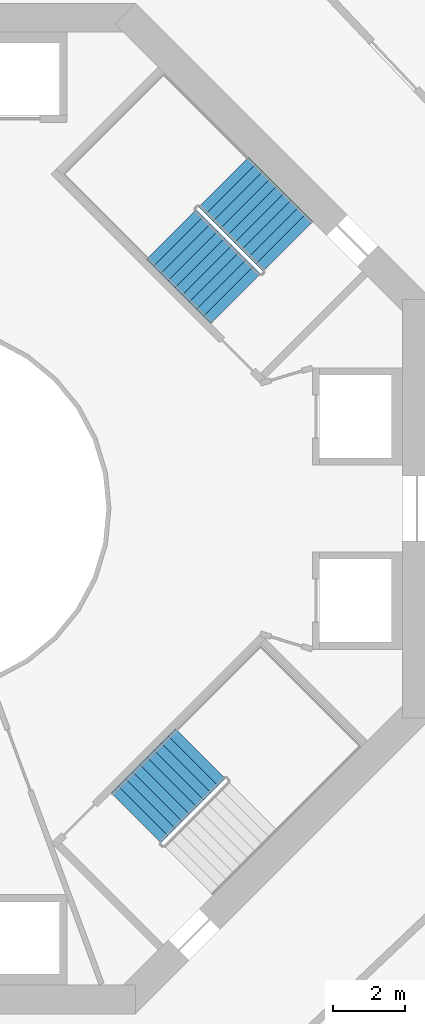
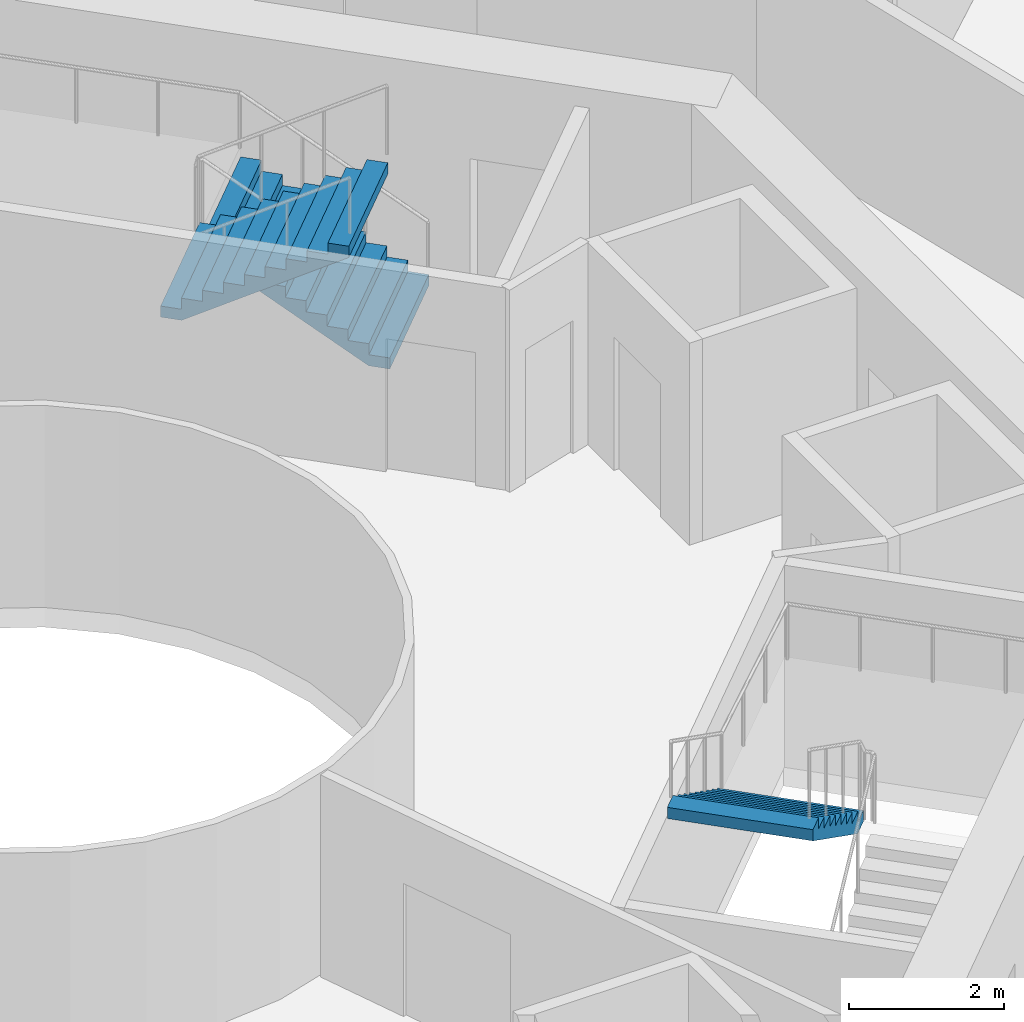
# One storey, part 26 of 27: 3 stair flights, 2 elements without a shape of their own.
"""IFC4 building model written with IfcOpenShell, lengths in metres."""

import ifcopenshell
import ifcopenshell.guid

model = None  # the IFC model being written
_history = None  # IfcOwnerHistory: only IFC2X3 demands one
_inside = {}  # id of a spatial element -> (the spatial element, [elements in it])
_under = {}  # id of a project, library or spatial element -> (it, [spatial elements below it])
_declared = {}  # id of a project -> (the project, [libraries it declares])
_typed = {}  # id of a type object -> (the type object, [elements of that type])
_made_of = {}  # id of a material, layer set ... -> (it, [elements and type objects made of it])


def new_model(schema):
    """Start an empty IFC model of exactly this schema.

    Asked for "IFC4X3", IfcOpenShell would pick the latest addendum, in which some entities
    have other attributes; the version numbers below select the first issue.
    IFC2X3 requires an IfcOwnerHistory on every rooted entity: one is made here for all.
    """
    global model, _history
    if schema == "IFC4X3":
        model = ifcopenshell.file(schema_version=(4, 3, 0, 0))
    else:
        model = ifcopenshell.file(schema=schema)
    _inside.clear()
    _under.clear()
    _declared.clear()
    _typed.clear()
    _made_of.clear()
    _history = None
    if model.schema == "IFC2X3":
        org = make("IfcOrganization", Name="unknown")
        user = make(
            "IfcPersonAndOrganization",
            ThePerson=make("IfcPerson", FamilyName="unknown"),
            TheOrganization=org,
        )
        app = make(
            "IfcApplication",
            ApplicationDeveloper=org,
            Version="unknown",
            ApplicationFullName="unknown",
            ApplicationIdentifier="unknown",
        )
        _history = make(
            "IfcOwnerHistory",
            OwningUser=user,
            OwningApplication=app,
            ChangeAction="ADDED",
            CreationDate=0,
        )
    return model


def make(cls, **values):
    """One entity of the class cls with the attributes given. An attribute that is None is left unset."""
    return model.create_entity(
        cls, **{name: value for name, value in values.items() if value is not None}
    )


def rooted(cls, **values):
    """An entity with a GlobalId (a new one), such as an element, a storey or a relation."""
    return make(cls, GlobalId=ifcopenshell.guid.new(), OwnerHistory=_history, **values)


def si_unit(unit_type, name, prefix=None):
    """IfcSIUnit, for example si_unit("LENGTHUNIT", "METRE", prefix="MILLI")."""
    return make("IfcSIUnit", UnitType=unit_type, Prefix=prefix, Name=name)


def assignment(units):
    """IfcUnitAssignment: the units of a project."""
    return None if units is None else make("IfcUnitAssignment", Units=units)


def point(xyz):
    """IfcCartesianPoint."""
    return None if xyz is None else make("IfcCartesianPoint", Coordinates=xyz)


def direction(xyz):
    """IfcDirection."""
    return None if xyz is None else make("IfcDirection", DirectionRatios=xyz)


def frame(location, z_axis=None, x_axis=None):
    """IfcAxis2Placement3D, a coordinate frame: its origin and axes. An axis left out is left unset."""
    return make(
        "IfcAxis2Placement3D",
        Location=point(location),
        Axis=direction(z_axis),
        RefDirection=direction(x_axis),
    )


def origin():
    """The frame at (0, 0, 0) with its axes left unset."""
    return frame((0.0, 0.0, 0.0))


def place(relative_to, where):
    """IfcLocalPlacement: puts the frame where relative to a parent placement (None: the world)."""
    return make(
        "IfcLocalPlacement", PlacementRelTo=relative_to, RelativePlacement=where
    )


def context(
    kind, dimensions, precision=None, world=None, true_north=None, identifier=None
):
    """IfcGeometricRepresentationContext, for example the 3D "Model" context."""
    return make(
        "IfcGeometricRepresentationContext",
        ContextIdentifier=identifier,
        ContextType=kind,
        CoordinateSpaceDimension=dimensions,
        Precision=precision,
        WorldCoordinateSystem=world,
        TrueNorth=true_north,
    )


def subcontext(parent, identifier, kind, view, scale=None):
    """IfcGeometricRepresentationSubContext, for example "Body" below "Model"."""
    return make(
        "IfcGeometricRepresentationSubContext",
        ContextIdentifier=identifier,
        ContextType=kind,
        ParentContext=parent,
        TargetScale=scale,
        TargetView=view,
    )


def project(units=None, contexts=None):
    """IfcProject with its units and contexts."""
    return rooted(
        "IfcProject",
        Name="project",
        RepresentationContexts=contexts,
        UnitsInContext=assignment(units),
    )


def spatial(cls, under=None, at=None, **own):
    """A site, building, storey or space (cls), placed at a placement, below another one or the project."""
    s = rooted(cls, ObjectPlacement=at, **own)
    if under is not None:
        _under.setdefault(under.id(), (under, []))[1].append(s)
    return s


def point_list(points):
    """IfcCartesianPointList2D or 3D."""
    cls = (
        "IfcCartesianPointList2D" if len(points[0]) == 2 else "IfcCartesianPointList3D"
    )
    return make(cls, CoordList=points)


def triangles(points, corners, closed=None, point_numbers=None):
    """IfcTriangulatedFaceSet: each triangle names its three corners, points numbered from 1."""
    return make(
        "IfcTriangulatedFaceSet",
        Coordinates=point_list(points),
        Closed=closed,
        CoordIndex=corners,
        PnIndex=point_numbers,
    )


def shape(context_of_items, identifier, shape_type, items):
    """IfcShapeRepresentation: the items that make up one representation, for example the "Body"."""
    return make(
        "IfcShapeRepresentation",
        ContextOfItems=context_of_items,
        RepresentationIdentifier=identifier,
        RepresentationType=shape_type,
        Items=items,
    )


def material(Name=None, Category=None):
    """IfcMaterial."""
    return make("IfcMaterial", Name=Name, Category=Category)


def made_of(thing, what):
    """Note that an element or type object is made of a material, layer set ...; save() writes the relation."""
    if what is not None:
        _made_of.setdefault(what.id(), (what, []))[1].append(thing)
    return thing


def type_object(cls, material=None, **own):
    """A type object (cls), such as IfcWallType, which elements share."""
    return made_of(rooted(cls, **own), material)


def element(
    cls,
    number,
    at=None,
    inside=None,
    cuts=None,
    type_object=None,
    material=None,
    context=None,
    identifier="Body",
    shape_type=None,
    held_by="IfcProductDefinitionShape",
    body=None,
    shapes=None,
    **own,
):
    """One element of the class cls, such as IfcWall. Its Tag is "e" and its number.

    at: its placement. inside: the storey or other place that contains it. cuts: it is an
    opening in that element (IfcRelVoidsElement). A single representation is given by context,
    identifier, shape_type and body (its items); several are given by shapes. held_by: the class
    of the entity that holds the representations. save() writes the other relations.
    """
    e = rooted(cls, Tag="e%d" % number, ObjectPlacement=at, **own)
    if body is not None:
        shapes = [shape(context, identifier, shape_type, body)]
    if shapes is not None:
        e.Representation = make(held_by, Representations=shapes)
    if inside is not None:
        _inside.setdefault(inside.id(), (inside, []))[1].append(e)
    if cuts is not None:
        rooted(
            "IfcRelVoidsElement", RelatingBuildingElement=cuts, RelatedOpeningElement=e
        )
    if type_object is not None:
        _typed.setdefault(type_object.id(), (type_object, []))[1].append(e)
    return made_of(e, material)


def aggregate(whole, parts):
    """IfcRelAggregates: a whole, such as a stair, and the parts it consists of."""
    return rooted("IfcRelAggregates", RelatingObject=whole, RelatedObjects=parts)


def save(model, path):
    """Write the relations noted so far, then the file.

    IfcRelAggregates (storeys below a building ...), IfcRelContainedInSpatialStructure (elements
    in a storey), IfcRelDefinesByType, IfcRelAssociatesMaterial and IfcRelDeclares: one each for
    every whole, place, type object, material and project.
    """
    for whole, parts in _under.values():
        aggregate(whole, parts)
    for where, things in _inside.values():
        rooted(
            "IfcRelContainedInSpatialStructure",
            RelatedElements=things,
            RelatingStructure=where,
        )
    for kind, things in _typed.values():
        rooted("IfcRelDefinesByType", RelatedObjects=things, RelatingType=kind)
    for what, things in _made_of.values():
        rooted("IfcRelAssociatesMaterial", RelatedObjects=things, RelatingMaterial=what)
    for by, libraries in _declared.values():
        rooted("IfcRelDeclares", RelatingContext=by, RelatedDefinitions=libraries)
    model.write(path)


model = new_model("IFC4")

# Units and contexts
model_context = context("Model", 3, precision=1e-05, world=origin(), true_north=direction((0.0, 1.0)))
body_context = subcontext(model_context, "Body", "Model", "MODEL_VIEW")
ifc_project = project(units=[si_unit("LENGTHUNIT", "METRE"), si_unit("AREAUNIT", "SQUARE_METRE"), si_unit("VOLUMEUNIT", "CUBIC_METRE"), si_unit("PLANEANGLEUNIT", "RADIAN"), si_unit("MASSUNIT", "GRAM", prefix="KILO")], contexts=[model_context])

# Site, building, storey
site_placement = place(None, origin())
site = spatial("IfcSite", under=ifc_project, at=site_placement, CompositionType="ELEMENT")
building_placement = place(site_placement, origin())
building = spatial("IfcBuilding", under=site, at=building_placement, Name="Verdalira Terraces Hotel", CompositionType="ELEMENT")
storey_placement = place(building_placement, frame((0.0, 0.0, 89.5)))
storey = spatial("IfcBuildingStorey", under=building, at=storey_placement, Name="L20", CompositionType="ELEMENT", Elevation=89.5)

# Stair, stair flights
ifc_material_1 = material(Name="Concrete C40", Category="concrete")
stair_type = type_object("IfcStairType", Name="Core stair 20 risers 1950 mm wide", PredefinedType="HALF_TURN_STAIR", material=ifc_material_1)
stair_1_placement = place(storey_placement, origin())
stair_1 = element("IfcStair", 1, at=stair_1_placement, inside=storey, type_object=stair_type, Name="L20 Exit stair ST1", PredefinedType="HALF_TURN_STAIR")
ifc_material_2 = material(Name="Concrete C40", Category="concrete")
stair_flight_type = type_object("IfcStairFlightType", Name="Core stair flight 20 risers 1950 mm wide", PredefinedType="STRAIGHT", material=ifc_material_2)
stair_flight_1_placement = place(storey_placement, frame((10.023193, 7.265625, 0.0), z_axis=(0.0, 0.0, 1.0), x_axis=(-0.707106781, 0.707106781, 0.0)))
stair_flight_1 = element("IfcStairFlight", 2, at=stair_flight_1_placement, type_object=stair_flight_type, Name="ST1 flight 1", NumberOfRisers=10, NumberOfTreads=9, PredefinedType="STRAIGHT", RiserHeight=0.175, TreadLength=0.28, context=body_context, shape_type="Tessellation", body=[
    triangles([(0.0, 0.974976, 0.0), (0.282715, 0.974976, 0.0), (2.52002, 0.974976, 1.398193), (0.0, -0.974976, 0.0), (0.282715, -0.974976, 0.0), (2.52002, -0.974976, 1.398193), (2.52002, 0.974976, 1.574951), (2.23999, 0.974976, 1.574951), (2.52002, -0.974976, 1.574951), (2.23999, -0.974976, 1.574951), (2.23999, 0.974976, 1.399902), (2.23999, -0.974976, 1.399902), (1.959961, 0.974976, 1.399902), (1.959961, -0.974976, 1.399902), (1.959961, 0.974976, 1.225098), (1.959961, -0.974976, 1.225098), (1.679932, 0.974976, 1.225098), (1.679932, 0.974976, 1.050049), (1.679932, -0.974976, 1.225098), (1.679932, -0.974976, 1.050049), (1.399902, 0.974976, 1.050049), (1.399902, 0.974976, 0.875), (1.399902, -0.974976, 1.050049), (1.399902, -0.974976, 0.875), (1.120117, 0.974976, 0.875), (1.120117, 0.974976, 0.699951), (1.120117, -0.974976, 0.875), (1.120117, -0.974976, 0.699951), (0.840088, 0.974976, 0.699951), (0.840088, 0.974976, 0.524902), (0.840088, -0.974976, 0.699951), (0.840088, -0.974976, 0.524902), (0.560059, 0.974976, 0.524902), (0.560059, 0.974976, 0.350098), (0.560059, -0.974976, 0.524902), (0.560059, -0.974976, 0.350098), (0.280029, 0.974976, 0.350098), (0.280029, 0.974976, 0.175049), (0.280029, -0.974976, 0.350098), (0.280029, -0.974976, 0.175049), (0.0, 0.974976, 0.175049), (0.0, -0.974976, 0.175049), (0.0, -0.91404, 0.0), (0.0, -0.91404, 0.175049), (0.0, -0.853104, 0.0), (0.0, -0.853104, 0.175049), (0.0, -0.792168, 0.0), (0.0, -0.792168, 0.175049), (0.0, -0.731232, 0.0), (0.0, -0.731232, 0.175049), (0.0, -0.670296, 0.0), (0.0, -0.670296, 0.175049), (0.0, -0.60936, 0.0), (0.0, -0.60936, 0.175049), (0.0, -0.548424, 0.0), (0.0, -0.548424, 0.175049), (0.0, -0.487488, 0.0), (0.0, -0.487488, 0.175049), (0.0, -0.426552, 0.0), (0.0, -0.426552, 0.175049), (0.0, -0.365616, 0.0), (0.0, -0.365616, 0.175049), (0.0, -0.30468, 0.0), (0.0, -0.30468, 0.175049), (0.0, -0.243744, 0.0), (0.0, -0.243744, 0.175049), (0.0, -0.182808, 0.0), (0.0, -0.182808, 0.175049), (0.0, -0.121872, 0.0), (0.0, -0.121872, 0.175049), (0.0, -0.060936, 0.0), (0.0, -0.060936, 0.175049), (0.0, 0.0, 0.0), (0.0, 0.0, 0.175049), (0.0, 0.060936, 0.0), (0.0, 0.060936, 0.175049), (0.0, 0.121872, 0.0), (0.0, 0.121872, 0.175049), (0.0, 0.182808, 0.0), (0.0, 0.182808, 0.175049), (0.0, 0.243744, 0.0), (0.0, 0.243744, 0.175049), (0.0, 0.30468, 0.0), (0.0, 0.30468, 0.175049), (0.0, 0.365616, 0.0), (0.0, 0.365616, 0.175049), (0.0, 0.426552, 0.0), (0.0, 0.426552, 0.175049), (0.0, 0.487488, 0.0), (0.0, 0.487488, 0.175049), (0.0, 0.548424, 0.0), (0.0, 0.548424, 0.175049), (0.0, 0.60936, 0.0), (0.0, 0.60936, 0.175049), (0.0, 0.670296, 0.0), (0.0, 0.670296, 0.175049), (0.0, 0.731232, 0.0), (0.0, 0.731232, 0.175049), (0.0, 0.792168, 0.0), (0.0, 0.792168, 0.175049), (0.0, 0.853104, 0.0), (0.0, 0.853104, 0.175049), (0.0, 0.91404, 0.0), (0.0, 0.91404, 0.175049), (2.52002, -0.91404, 1.574951), (2.52002, -0.853104, 1.574951), (2.52002, -0.792168, 1.574951), (2.52002, -0.731232, 1.574951), (2.52002, -0.670296, 1.574951), (2.52002, -0.60936, 1.574951), (2.52002, -0.548424, 1.574951), (2.52002, -0.487488, 1.574951), (2.52002, -0.426552, 1.574951), (2.52002, -0.365616, 1.574951), (2.52002, -0.30468, 1.574951), (2.52002, -0.243744, 1.574951), (2.52002, -0.182808, 1.574951), (2.52002, -0.121872, 1.574951), (2.52002, -0.060936, 1.574951), (2.52002, 0.0, 1.574951), (2.52002, 0.060936, 1.574951), (2.52002, 0.121872, 1.574951), (2.52002, 0.182808, 1.574951), (2.52002, 0.243744, 1.574951), (2.52002, 0.30468, 1.574951), (2.52002, 0.365616, 1.574951), (2.52002, 0.426552, 1.574951), (2.52002, 0.487488, 1.574951), (2.52002, 0.548424, 1.574951), (2.52002, 0.60936, 1.574951), (2.52002, 0.670296, 1.574951), (2.52002, 0.731232, 1.574951), (2.52002, 0.792168, 1.574951), (2.52002, 0.853104, 1.574951), (2.52002, 0.91404, 1.574951), (2.52002, -0.91404, 1.398193), (2.52002, -0.853104, 1.398193), (2.52002, -0.792168, 1.398193), (2.52002, -0.731232, 1.398193), (2.52002, -0.670296, 1.398193), (2.52002, -0.60936, 1.398193), (2.52002, -0.548424, 1.398193), (2.52002, -0.487488, 1.398193), (2.52002, -0.426552, 1.398193), (2.52002, -0.365616, 1.398193), (2.52002, -0.30468, 1.398193), (2.52002, -0.243744, 1.398193), (2.52002, -0.182808, 1.398193), (2.52002, -0.121872, 1.398193), (2.52002, -0.060936, 1.398193), (2.52002, 0.0, 1.398193), (2.52002, 0.060936, 1.398193), (2.52002, 0.121872, 1.398193), (2.52002, 0.182808, 1.398193), (2.52002, 0.243744, 1.398193), (2.52002, 0.30468, 1.398193), (2.52002, 0.365616, 1.398193), (2.52002, 0.426552, 1.398193), (2.52002, 0.487488, 1.398193), (2.52002, 0.548424, 1.398193), (2.52002, 0.60936, 1.398193), (2.52002, 0.670296, 1.398193), (2.52002, 0.731232, 1.398193), (2.52002, 0.792168, 1.398193), (2.52002, 0.853104, 1.398193), (2.52002, 0.91404, 1.398193)], [[1, 3, 2], [4, 5, 6], [3, 8, 7], [6, 9, 10], [3, 11, 8], [6, 10, 12], [3, 13, 11], [6, 12, 14], [3, 15, 13], [6, 14, 16], [15, 18, 17], [16, 19, 20], [3, 18, 15], [6, 16, 20], [18, 22, 21], [20, 23, 24], [3, 22, 18], [6, 20, 24], [22, 26, 25], [24, 27, 28], [3, 26, 22], [6, 24, 28], [26, 30, 29], [28, 31, 32], [3, 30, 26], [6, 28, 32], [1, 30, 3], [4, 6, 32], [30, 34, 33], [32, 35, 36], [34, 38, 37], [36, 39, 40], [30, 38, 34], [32, 36, 40], [1, 38, 30], [4, 32, 40], [38, 1, 41], [40, 42, 4], [4, 44, 43], [4, 42, 44], [43, 46, 45], [43, 44, 46], [45, 48, 47], [45, 46, 48], [47, 50, 49], [47, 48, 50], [49, 52, 51], [49, 50, 52], [51, 54, 53], [51, 52, 54], [53, 56, 55], [53, 54, 56], [55, 58, 57], [55, 56, 58], [57, 60, 59], [57, 58, 60], [59, 62, 61], [59, 60, 62], [61, 64, 63], [61, 62, 64], [63, 66, 65], [63, 64, 66], [65, 68, 67], [65, 66, 68], [67, 70, 69], [67, 68, 70], [69, 72, 71], [69, 70, 72], [71, 74, 73], [71, 72, 74], [73, 76, 75], [73, 74, 76], [75, 78, 77], [75, 76, 78], [77, 80, 79], [77, 78, 80], [79, 82, 81], [79, 80, 82], [81, 84, 83], [81, 82, 84], [83, 86, 85], [83, 84, 86], [85, 88, 87], [85, 86, 88], [87, 90, 89], [87, 88, 90], [89, 92, 91], [89, 90, 92], [91, 94, 93], [91, 92, 94], [93, 96, 95], [93, 94, 96], [95, 98, 97], [95, 96, 98], [97, 100, 99], [97, 98, 100], [99, 102, 101], [99, 100, 102], [101, 104, 103], [101, 102, 104], [103, 41, 1], [103, 104, 41], [42, 40, 44], [44, 40, 46], [46, 40, 48], [48, 40, 50], [50, 40, 52], [52, 40, 54], [54, 40, 56], [56, 40, 58], [58, 40, 60], [60, 40, 62], [62, 40, 64], [64, 40, 66], [66, 40, 68], [68, 40, 70], [70, 40, 72], [72, 40, 74], [74, 40, 76], [76, 40, 78], [78, 40, 80], [80, 40, 82], [82, 40, 84], [84, 40, 86], [86, 40, 88], [88, 40, 90], [90, 40, 92], [92, 40, 94], [94, 40, 96], [96, 40, 98], [98, 40, 100], [100, 40, 102], [102, 40, 104], [104, 40, 41], [41, 40, 38], [40, 37, 38], [40, 39, 37], [39, 34, 37], [39, 36, 34], [36, 33, 34], [36, 35, 33], [35, 30, 33], [35, 32, 30], [32, 29, 30], [32, 31, 29], [31, 26, 29], [31, 28, 26], [28, 25, 26], [28, 27, 25], [27, 22, 25], [27, 24, 22], [24, 21, 22], [24, 23, 21], [23, 18, 21], [23, 20, 18], [20, 17, 18], [20, 19, 17], [19, 15, 17], [19, 16, 15], [16, 13, 15], [16, 14, 13], [14, 11, 13], [14, 12, 11], [12, 8, 11], [12, 10, 8], [9, 105, 10], [105, 106, 10], [106, 107, 10], [107, 108, 10], [108, 109, 10], [109, 110, 10], [110, 111, 10], [111, 112, 10], [112, 113, 10], [113, 114, 10], [114, 115, 10], [115, 116, 10], [116, 117, 10], [117, 118, 10], [118, 119, 10], [119, 120, 10], [120, 121, 10], [121, 122, 10], [122, 123, 10], [123, 124, 10], [124, 125, 10], [125, 126, 10], [126, 127, 10], [127, 128, 10], [128, 129, 10], [129, 130, 10], [130, 131, 10], [131, 132, 10], [132, 133, 10], [133, 134, 10], [134, 135, 10], [135, 7, 10], [7, 8, 10], [9, 136, 105], [9, 6, 136], [105, 137, 106], [105, 136, 137], [106, 138, 107], [106, 137, 138], [107, 139, 108], [107, 138, 139], [108, 140, 109], [108, 139, 140], [109, 141, 110], [109, 140, 141], [110, 142, 111], [110, 141, 142], [111, 143, 112], [111, 142, 143], [112, 144, 113], [112, 143, 144], [113, 145, 114], [113, 144, 145], [114, 146, 115], [114, 145, 146], [115, 147, 116], [115, 146, 147], [116, 148, 117], [116, 147, 148], [117, 149, 118], [117, 148, 149], [118, 150, 119], [118, 149, 150], [119, 151, 120], [119, 150, 151], [120, 152, 121], [120, 151, 152], [121, 153, 122], [121, 152, 153], [122, 154, 123], [122, 153, 154], [123, 155, 124], [123, 154, 155], [124, 156, 125], [124, 155, 156], [125, 157, 126], [125, 156, 157], [126, 158, 127], [126, 157, 158], [127, 159, 128], [127, 158, 159], [128, 160, 129], [128, 159, 160], [129, 161, 130], [129, 160, 161], [130, 162, 131], [130, 161, 162], [131, 163, 132], [131, 162, 163], [132, 164, 133], [132, 163, 164], [133, 165, 134], [133, 164, 165], [134, 166, 135], [134, 165, 166], [135, 3, 7], [135, 166, 3], [6, 5, 136], [136, 5, 137], [137, 5, 138], [138, 5, 139], [139, 5, 140], [140, 5, 141], [141, 5, 142], [142, 5, 143], [143, 5, 144], [144, 5, 145], [145, 5, 146], [146, 5, 147], [147, 5, 148], [148, 5, 149], [149, 5, 150], [150, 5, 151], [151, 5, 152], [152, 5, 153], [153, 5, 154], [154, 5, 155], [155, 5, 156], [156, 5, 157], [157, 5, 158], [158, 5, 159], [159, 5, 160], [160, 5, 161], [161, 5, 162], [162, 5, 163], [163, 5, 164], [164, 5, 165], [165, 5, 166], [166, 5, 3], [3, 5, 2], [4, 43, 5], [43, 45, 5], [45, 47, 5], [47, 49, 5], [49, 51, 5], [51, 53, 5], [53, 55, 5], [55, 57, 5], [57, 59, 5], [59, 61, 5], [61, 63, 5], [63, 65, 5], [65, 67, 5], [67, 69, 5], [69, 71, 5], [71, 73, 5], [73, 75, 5], [75, 77, 5], [77, 79, 5], [79, 81, 5], [81, 83, 5], [83, 85, 5], [85, 87, 5], [87, 89, 5], [89, 91, 5], [91, 93, 5], [93, 95, 5], [95, 97, 5], [97, 99, 5], [99, 101, 5], [101, 103, 5], [103, 1, 5], [1, 2, 5]], closed=True),
])
stair_flight_2_placement = place(storey_placement, frame((6.791748, 7.5979, 1.75), z_axis=(0.0, 0.0, 1.0), x_axis=(0.707106781, -0.707106781, 0.0)))
stair_flight_2 = element("IfcStairFlight", 3, at=stair_flight_2_placement, type_object=stair_flight_type, Name="ST1 flight 2", NumberOfRisers=10, NumberOfTreads=9, PredefinedType="STRAIGHT", RiserHeight=0.175, TreadLength=0.28, context=body_context, shape_type="Tessellation", body=[
    triangles([(0.0, 0.974976, 0.0), (0.282715, 0.974976, 0.0), (2.52002, 0.974976, 1.398193), (0.0, -0.974976, 0.0), (0.282715, -0.974976, 0.0), (2.52002, -0.974976, 1.398193), (2.52002, 0.974976, 1.574951), (2.23999, 0.974976, 1.574951), (2.52002, -0.974976, 1.574951), (2.23999, -0.974976, 1.574951), (2.23999, 0.974976, 1.399902), (2.23999, -0.974976, 1.399902), (1.959961, 0.974976, 1.399902), (1.959961, -0.974976, 1.399902), (1.959961, 0.974976, 1.225098), (1.959961, -0.974976, 1.225098), (1.679932, 0.974976, 1.225098), (1.679932, 0.974976, 1.050049), (1.679932, -0.974976, 1.225098), (1.679932, -0.974976, 1.050049), (1.399902, 0.974976, 1.050049), (1.399902, 0.974976, 0.875), (1.399902, -0.974976, 1.050049), (1.399902, -0.974976, 0.875), (1.120117, 0.974976, 0.875), (1.120117, 0.974976, 0.699951), (1.120117, -0.974976, 0.875), (1.120117, -0.974976, 0.699951), (0.840088, 0.974976, 0.699951), (0.840088, 0.974976, 0.524902), (0.840088, -0.974976, 0.699951), (0.840088, -0.974976, 0.524902), (0.560059, 0.974976, 0.524902), (0.560059, 0.974976, 0.350098), (0.560059, -0.974976, 0.524902), (0.560059, -0.974976, 0.350098), (0.280029, 0.974976, 0.350098), (0.280029, 0.974976, 0.175049), (0.280029, -0.974976, 0.350098), (0.280029, -0.974976, 0.175049), (0.0, 0.974976, 0.175049), (0.0, -0.974976, 0.175049), (0.0, -0.91404, 0.0), (0.0, -0.91404, 0.175049), (0.0, -0.853104, 0.0), (0.0, -0.853104, 0.175049), (0.0, -0.792168, 0.0), (0.0, -0.792168, 0.175049), (0.0, -0.731232, 0.0), (0.0, -0.731232, 0.175049), (0.0, -0.670296, 0.0), (0.0, -0.670296, 0.175049), (0.0, -0.60936, 0.0), (0.0, -0.60936, 0.175049), (0.0, -0.548424, 0.0), (0.0, -0.548424, 0.175049), (0.0, -0.487488, 0.0), (0.0, -0.487488, 0.175049), (0.0, -0.426552, 0.0), (0.0, -0.426552, 0.175049), (0.0, -0.365616, 0.0), (0.0, -0.365616, 0.175049), (0.0, -0.30468, 0.0), (0.0, -0.30468, 0.175049), (0.0, -0.243744, 0.0), (0.0, -0.243744, 0.175049), (0.0, -0.182808, 0.0), (0.0, -0.182808, 0.175049), (0.0, -0.121872, 0.0), (0.0, -0.121872, 0.175049), (0.0, -0.060936, 0.0), (0.0, -0.060936, 0.175049), (0.0, 0.0, 0.0), (0.0, 0.0, 0.175049), (0.0, 0.060936, 0.0), (0.0, 0.060936, 0.175049), (0.0, 0.121872, 0.0), (0.0, 0.121872, 0.175049), (0.0, 0.182808, 0.0), (0.0, 0.182808, 0.175049), (0.0, 0.243744, 0.0), (0.0, 0.243744, 0.175049), (0.0, 0.30468, 0.0), (0.0, 0.30468, 0.175049), (0.0, 0.365616, 0.0), (0.0, 0.365616, 0.175049), (0.0, 0.426552, 0.0), (0.0, 0.426552, 0.175049), (0.0, 0.487488, 0.0), (0.0, 0.487488, 0.175049), (0.0, 0.548424, 0.0), (0.0, 0.548424, 0.175049), (0.0, 0.60936, 0.0), (0.0, 0.60936, 0.175049), (0.0, 0.670296, 0.0), (0.0, 0.670296, 0.175049), (0.0, 0.731232, 0.0), (0.0, 0.731232, 0.175049), (0.0, 0.792168, 0.0), (0.0, 0.792168, 0.175049), (0.0, 0.853104, 0.0), (0.0, 0.853104, 0.175049), (0.0, 0.91404, 0.0), (0.0, 0.91404, 0.175049), (2.52002, -0.91404, 1.574951), (2.52002, -0.853104, 1.574951), (2.52002, -0.792168, 1.574951), (2.52002, -0.731232, 1.574951), (2.52002, -0.670296, 1.574951), (2.52002, -0.60936, 1.574951), (2.52002, -0.548424, 1.574951), (2.52002, -0.487488, 1.574951), (2.52002, -0.426552, 1.574951), (2.52002, -0.365616, 1.574951), (2.52002, -0.30468, 1.574951), (2.52002, -0.243744, 1.574951), (2.52002, -0.182808, 1.574951), (2.52002, -0.121872, 1.574951), (2.52002, -0.060936, 1.574951), (2.52002, 0.0, 1.574951), (2.52002, 0.060936, 1.574951), (2.52002, 0.121872, 1.574951), (2.52002, 0.182808, 1.574951), (2.52002, 0.243744, 1.574951), (2.52002, 0.30468, 1.574951), (2.52002, 0.365616, 1.574951), (2.52002, 0.426552, 1.574951), (2.52002, 0.487488, 1.574951), (2.52002, 0.548424, 1.574951), (2.52002, 0.60936, 1.574951), (2.52002, 0.670296, 1.574951), (2.52002, 0.731232, 1.574951), (2.52002, 0.792168, 1.574951), (2.52002, 0.853104, 1.574951), (2.52002, 0.91404, 1.574951), (2.52002, -0.91404, 1.398193), (2.52002, -0.853104, 1.398193), (2.52002, -0.792168, 1.398193), (2.52002, -0.731232, 1.398193), (2.52002, -0.670296, 1.398193), (2.52002, -0.60936, 1.398193), (2.52002, -0.548424, 1.398193), (2.52002, -0.487488, 1.398193), (2.52002, -0.426552, 1.398193), (2.52002, -0.365616, 1.398193), (2.52002, -0.30468, 1.398193), (2.52002, -0.243744, 1.398193), (2.52002, -0.182808, 1.398193), (2.52002, -0.121872, 1.398193), (2.52002, -0.060936, 1.398193), (2.52002, 0.0, 1.398193), (2.52002, 0.060936, 1.398193), (2.52002, 0.121872, 1.398193), (2.52002, 0.182808, 1.398193), (2.52002, 0.243744, 1.398193), (2.52002, 0.30468, 1.398193), (2.52002, 0.365616, 1.398193), (2.52002, 0.426552, 1.398193), (2.52002, 0.487488, 1.398193), (2.52002, 0.548424, 1.398193), (2.52002, 0.60936, 1.398193), (2.52002, 0.670296, 1.398193), (2.52002, 0.731232, 1.398193), (2.52002, 0.792168, 1.398193), (2.52002, 0.853104, 1.398193), (2.52002, 0.91404, 1.398193)], [[1, 3, 2], [4, 5, 6], [3, 8, 7], [6, 9, 10], [3, 11, 8], [6, 10, 12], [3, 13, 11], [6, 12, 14], [3, 15, 13], [6, 14, 16], [15, 18, 17], [16, 19, 20], [3, 18, 15], [6, 16, 20], [18, 22, 21], [20, 23, 24], [3, 22, 18], [6, 20, 24], [22, 26, 25], [24, 27, 28], [3, 26, 22], [6, 24, 28], [26, 30, 29], [28, 31, 32], [3, 30, 26], [6, 28, 32], [1, 30, 3], [4, 6, 32], [30, 34, 33], [32, 35, 36], [34, 38, 37], [36, 39, 40], [30, 38, 34], [32, 36, 40], [1, 38, 30], [4, 32, 40], [38, 1, 41], [40, 42, 4], [4, 44, 43], [4, 42, 44], [43, 46, 45], [43, 44, 46], [45, 48, 47], [45, 46, 48], [47, 50, 49], [47, 48, 50], [49, 52, 51], [49, 50, 52], [51, 54, 53], [51, 52, 54], [53, 56, 55], [53, 54, 56], [55, 58, 57], [55, 56, 58], [57, 60, 59], [57, 58, 60], [59, 62, 61], [59, 60, 62], [61, 64, 63], [61, 62, 64], [63, 66, 65], [63, 64, 66], [65, 68, 67], [65, 66, 68], [67, 70, 69], [67, 68, 70], [69, 72, 71], [69, 70, 72], [71, 74, 73], [71, 72, 74], [73, 76, 75], [73, 74, 76], [75, 78, 77], [75, 76, 78], [77, 80, 79], [77, 78, 80], [79, 82, 81], [79, 80, 82], [81, 84, 83], [81, 82, 84], [83, 86, 85], [83, 84, 86], [85, 88, 87], [85, 86, 88], [87, 90, 89], [87, 88, 90], [89, 92, 91], [89, 90, 92], [91, 94, 93], [91, 92, 94], [93, 96, 95], [93, 94, 96], [95, 98, 97], [95, 96, 98], [97, 100, 99], [97, 98, 100], [99, 102, 101], [99, 100, 102], [101, 104, 103], [101, 102, 104], [103, 41, 1], [103, 104, 41], [42, 40, 44], [44, 40, 46], [46, 40, 48], [48, 40, 50], [50, 40, 52], [52, 40, 54], [54, 40, 56], [56, 40, 58], [58, 40, 60], [60, 40, 62], [62, 40, 64], [64, 40, 66], [66, 40, 68], [68, 40, 70], [70, 40, 72], [72, 40, 74], [74, 40, 76], [76, 40, 78], [78, 40, 80], [80, 40, 82], [82, 40, 84], [84, 40, 86], [86, 40, 88], [88, 40, 90], [90, 40, 92], [92, 40, 94], [94, 40, 96], [96, 40, 98], [98, 40, 100], [100, 40, 102], [102, 40, 104], [104, 40, 41], [41, 40, 38], [40, 37, 38], [40, 39, 37], [39, 34, 37], [39, 36, 34], [36, 33, 34], [36, 35, 33], [35, 30, 33], [35, 32, 30], [32, 29, 30], [32, 31, 29], [31, 26, 29], [31, 28, 26], [28, 25, 26], [28, 27, 25], [27, 22, 25], [27, 24, 22], [24, 21, 22], [24, 23, 21], [23, 18, 21], [23, 20, 18], [20, 17, 18], [20, 19, 17], [19, 15, 17], [19, 16, 15], [16, 13, 15], [16, 14, 13], [14, 11, 13], [14, 12, 11], [12, 8, 11], [12, 10, 8], [9, 105, 10], [105, 106, 10], [106, 107, 10], [107, 108, 10], [108, 109, 10], [109, 110, 10], [110, 111, 10], [111, 112, 10], [112, 113, 10], [113, 114, 10], [114, 115, 10], [115, 116, 10], [116, 117, 10], [117, 118, 10], [118, 119, 10], [119, 120, 10], [120, 121, 10], [121, 122, 10], [122, 123, 10], [123, 124, 10], [124, 125, 10], [125, 126, 10], [126, 127, 10], [127, 128, 10], [128, 129, 10], [129, 130, 10], [130, 131, 10], [131, 132, 10], [132, 133, 10], [133, 134, 10], [134, 135, 10], [135, 7, 10], [7, 8, 10], [9, 136, 105], [9, 6, 136], [105, 137, 106], [105, 136, 137], [106, 138, 107], [106, 137, 138], [107, 139, 108], [107, 138, 139], [108, 140, 109], [108, 139, 140], [109, 141, 110], [109, 140, 141], [110, 142, 111], [110, 141, 142], [111, 143, 112], [111, 142, 143], [112, 144, 113], [112, 143, 144], [113, 145, 114], [113, 144, 145], [114, 146, 115], [114, 145, 146], [115, 147, 116], [115, 146, 147], [116, 148, 117], [116, 147, 148], [117, 149, 118], [117, 148, 149], [118, 150, 119], [118, 149, 150], [119, 151, 120], [119, 150, 151], [120, 152, 121], [120, 151, 152], [121, 153, 122], [121, 152, 153], [122, 154, 123], [122, 153, 154], [123, 155, 124], [123, 154, 155], [124, 156, 125], [124, 155, 156], [125, 157, 126], [125, 156, 157], [126, 158, 127], [126, 157, 158], [127, 159, 128], [127, 158, 159], [128, 160, 129], [128, 159, 160], [129, 161, 130], [129, 160, 161], [130, 162, 131], [130, 161, 162], [131, 163, 132], [131, 162, 163], [132, 164, 133], [132, 163, 164], [133, 165, 134], [133, 164, 165], [134, 166, 135], [134, 165, 166], [135, 3, 7], [135, 166, 3], [6, 5, 136], [136, 5, 137], [137, 5, 138], [138, 5, 139], [139, 5, 140], [140, 5, 141], [141, 5, 142], [142, 5, 143], [143, 5, 144], [144, 5, 145], [145, 5, 146], [146, 5, 147], [147, 5, 148], [148, 5, 149], [149, 5, 150], [150, 5, 151], [151, 5, 152], [152, 5, 153], [153, 5, 154], [154, 5, 155], [155, 5, 156], [156, 5, 157], [157, 5, 158], [158, 5, 159], [159, 5, 160], [160, 5, 161], [161, 5, 162], [162, 5, 163], [163, 5, 164], [164, 5, 165], [165, 5, 166], [166, 5, 3], [3, 5, 2], [4, 43, 5], [43, 45, 5], [45, 47, 5], [47, 49, 5], [49, 51, 5], [51, 53, 5], [53, 55, 5], [55, 57, 5], [57, 59, 5], [59, 61, 5], [61, 63, 5], [63, 65, 5], [65, 67, 5], [67, 69, 5], [69, 71, 5], [71, 73, 5], [73, 75, 5], [75, 77, 5], [77, 79, 5], [79, 81, 5], [81, 83, 5], [83, 85, 5], [85, 87, 5], [87, 89, 5], [89, 91, 5], [91, 93, 5], [93, 95, 5], [95, 97, 5], [97, 99, 5], [99, 101, 5], [101, 103, 5], [103, 1, 5], [1, 2, 5]], closed=True),
])
aggregate(stair_1, [stair_flight_1, stair_flight_2])

# Stair, stair flight
stair_2_placement = place(storey_placement, origin())
stair_2 = element("IfcStair", 4, at=stair_2_placement, inside=storey, type_object=stair_type, Name="L20 Exit stair ST3", PredefinedType="HALF_TURN_STAIR")
stair_flight_3_placement = place(storey_placement, frame((7.5979, -6.791748, 1.75), z_axis=(0.0, 0.0, 1.0), x_axis=(-0.707106781, -0.707106781, 0.0)))
stair_flight_3 = element("IfcStairFlight", 5, at=stair_flight_3_placement, type_object=stair_flight_type, Name="ST3 flight 2", NumberOfRisers=10, NumberOfTreads=9, PredefinedType="STRAIGHT", RiserHeight=0.175, TreadLength=0.28, context=body_context, shape_type="Tessellation", body=[
    triangles([(0.0, 0.974976, 0.0), (0.282715, 0.974976, 0.0), (2.52002, 0.974976, 1.398193), (0.0, -0.974976, 0.0), (0.282715, -0.974976, 0.0), (2.52002, -0.974976, 1.398193), (2.52002, 0.974976, 1.574951), (2.23999, 0.974976, 1.574951), (2.52002, -0.974976, 1.574951), (2.23999, -0.974976, 1.574951), (2.23999, 0.974976, 1.399902), (2.23999, -0.974976, 1.399902), (1.959961, 0.974976, 1.399902), (1.959961, -0.974976, 1.399902), (1.959961, 0.974976, 1.225098), (1.959961, -0.974976, 1.225098), (1.679932, 0.974976, 1.225098), (1.679932, 0.974976, 1.050049), (1.679932, -0.974976, 1.225098), (1.679932, -0.974976, 1.050049), (1.399902, 0.974976, 1.050049), (1.399902, 0.974976, 0.875), (1.399902, -0.974976, 1.050049), (1.399902, -0.974976, 0.875), (1.120117, 0.974976, 0.875), (1.120117, 0.974976, 0.699951), (1.120117, -0.974976, 0.875), (1.120117, -0.974976, 0.699951), (0.840088, 0.974976, 0.699951), (0.840088, 0.974976, 0.524902), (0.840088, -0.974976, 0.699951), (0.840088, -0.974976, 0.524902), (0.560059, 0.974976, 0.524902), (0.560059, 0.974976, 0.350098), (0.560059, -0.974976, 0.524902), (0.560059, -0.974976, 0.350098), (0.280029, 0.974976, 0.350098), (0.280029, 0.974976, 0.175049), (0.280029, -0.974976, 0.350098), (0.280029, -0.974976, 0.175049), (0.0, 0.974976, 0.175049), (0.0, -0.974976, 0.175049), (0.0, -0.91404, 0.0), (0.0, -0.91404, 0.175049), (0.0, -0.853104, 0.0), (0.0, -0.853104, 0.175049), (0.0, -0.792168, 0.0), (0.0, -0.792168, 0.175049), (0.0, -0.731232, 0.0), (0.0, -0.731232, 0.175049), (0.0, -0.670296, 0.0), (0.0, -0.670296, 0.175049), (0.0, -0.60936, 0.0), (0.0, -0.60936, 0.175049), (0.0, -0.548424, 0.0), (0.0, -0.548424, 0.175049), (0.0, -0.487488, 0.0), (0.0, -0.487488, 0.175049), (0.0, -0.426552, 0.0), (0.0, -0.426552, 0.175049), (0.0, -0.365616, 0.0), (0.0, -0.365616, 0.175049), (0.0, -0.30468, 0.0), (0.0, -0.30468, 0.175049), (0.0, -0.243744, 0.0), (0.0, -0.243744, 0.175049), (0.0, -0.182808, 0.0), (0.0, -0.182808, 0.175049), (0.0, -0.121872, 0.0), (0.0, -0.121872, 0.175049), (0.0, -0.060936, 0.0), (0.0, -0.060936, 0.175049), (0.0, 0.0, 0.0), (0.0, 0.0, 0.175049), (0.0, 0.060936, 0.0), (0.0, 0.060936, 0.175049), (0.0, 0.121872, 0.0), (0.0, 0.121872, 0.175049), (0.0, 0.182808, 0.0), (0.0, 0.182808, 0.175049), (0.0, 0.243744, 0.0), (0.0, 0.243744, 0.175049), (0.0, 0.30468, 0.0), (0.0, 0.30468, 0.175049), (0.0, 0.365616, 0.0), (0.0, 0.365616, 0.175049), (0.0, 0.426552, 0.0), (0.0, 0.426552, 0.175049), (0.0, 0.487488, 0.0), (0.0, 0.487488, 0.175049), (0.0, 0.548424, 0.0), (0.0, 0.548424, 0.175049), (0.0, 0.60936, 0.0), (0.0, 0.60936, 0.175049), (0.0, 0.670296, 0.0), (0.0, 0.670296, 0.175049), (0.0, 0.731232, 0.0), (0.0, 0.731232, 0.175049), (0.0, 0.792168, 0.0), (0.0, 0.792168, 0.175049), (0.0, 0.853104, 0.0), (0.0, 0.853104, 0.175049), (0.0, 0.91404, 0.0), (0.0, 0.91404, 0.175049), (2.52002, -0.91404, 1.574951), (2.52002, -0.853104, 1.574951), (2.52002, -0.792168, 1.574951), (2.52002, -0.731232, 1.574951), (2.52002, -0.670296, 1.574951), (2.52002, -0.60936, 1.574951), (2.52002, -0.548424, 1.574951), (2.52002, -0.487488, 1.574951), (2.52002, -0.426552, 1.574951), (2.52002, -0.365616, 1.574951), (2.52002, -0.30468, 1.574951), (2.52002, -0.243744, 1.574951), (2.52002, -0.182808, 1.574951), (2.52002, -0.121872, 1.574951), (2.52002, -0.060936, 1.574951), (2.52002, 0.0, 1.574951), (2.52002, 0.060936, 1.574951), (2.52002, 0.121872, 1.574951), (2.52002, 0.182808, 1.574951), (2.52002, 0.243744, 1.574951), (2.52002, 0.30468, 1.574951), (2.52002, 0.365616, 1.574951), (2.52002, 0.426552, 1.574951), (2.52002, 0.487488, 1.574951), (2.52002, 0.548424, 1.574951), (2.52002, 0.60936, 1.574951), (2.52002, 0.670296, 1.574951), (2.52002, 0.731232, 1.574951), (2.52002, 0.792168, 1.574951), (2.52002, 0.853104, 1.574951), (2.52002, 0.91404, 1.574951), (2.52002, -0.91404, 1.398193), (2.52002, -0.853104, 1.398193), (2.52002, -0.792168, 1.398193), (2.52002, -0.731232, 1.398193), (2.52002, -0.670296, 1.398193), (2.52002, -0.60936, 1.398193), (2.52002, -0.548424, 1.398193), (2.52002, -0.487488, 1.398193), (2.52002, -0.426552, 1.398193), (2.52002, -0.365616, 1.398193), (2.52002, -0.30468, 1.398193), (2.52002, -0.243744, 1.398193), (2.52002, -0.182808, 1.398193), (2.52002, -0.121872, 1.398193), (2.52002, -0.060936, 1.398193), (2.52002, 0.0, 1.398193), (2.52002, 0.060936, 1.398193), (2.52002, 0.121872, 1.398193), (2.52002, 0.182808, 1.398193), (2.52002, 0.243744, 1.398193), (2.52002, 0.30468, 1.398193), (2.52002, 0.365616, 1.398193), (2.52002, 0.426552, 1.398193), (2.52002, 0.487488, 1.398193), (2.52002, 0.548424, 1.398193), (2.52002, 0.60936, 1.398193), (2.52002, 0.670296, 1.398193), (2.52002, 0.731232, 1.398193), (2.52002, 0.792168, 1.398193), (2.52002, 0.853104, 1.398193), (2.52002, 0.91404, 1.398193)], [[1, 3, 2], [4, 5, 6], [3, 8, 7], [6, 9, 10], [3, 11, 8], [6, 10, 12], [3, 13, 11], [6, 12, 14], [3, 15, 13], [6, 14, 16], [15, 18, 17], [16, 19, 20], [3, 18, 15], [6, 16, 20], [18, 22, 21], [20, 23, 24], [3, 22, 18], [6, 20, 24], [22, 26, 25], [24, 27, 28], [3, 26, 22], [6, 24, 28], [26, 30, 29], [28, 31, 32], [3, 30, 26], [6, 28, 32], [1, 30, 3], [4, 6, 32], [30, 34, 33], [32, 35, 36], [34, 38, 37], [36, 39, 40], [30, 38, 34], [32, 36, 40], [1, 38, 30], [4, 32, 40], [38, 1, 41], [40, 42, 4], [4, 44, 43], [4, 42, 44], [43, 46, 45], [43, 44, 46], [45, 48, 47], [45, 46, 48], [47, 50, 49], [47, 48, 50], [49, 52, 51], [49, 50, 52], [51, 54, 53], [51, 52, 54], [53, 56, 55], [53, 54, 56], [55, 58, 57], [55, 56, 58], [57, 60, 59], [57, 58, 60], [59, 62, 61], [59, 60, 62], [61, 64, 63], [61, 62, 64], [63, 66, 65], [63, 64, 66], [65, 68, 67], [65, 66, 68], [67, 70, 69], [67, 68, 70], [69, 72, 71], [69, 70, 72], [71, 74, 73], [71, 72, 74], [73, 76, 75], [73, 74, 76], [75, 78, 77], [75, 76, 78], [77, 80, 79], [77, 78, 80], [79, 82, 81], [79, 80, 82], [81, 84, 83], [81, 82, 84], [83, 86, 85], [83, 84, 86], [85, 88, 87], [85, 86, 88], [87, 90, 89], [87, 88, 90], [89, 92, 91], [89, 90, 92], [91, 94, 93], [91, 92, 94], [93, 96, 95], [93, 94, 96], [95, 98, 97], [95, 96, 98], [97, 100, 99], [97, 98, 100], [99, 102, 101], [99, 100, 102], [101, 104, 103], [101, 102, 104], [103, 41, 1], [103, 104, 41], [42, 40, 44], [44, 40, 46], [46, 40, 48], [48, 40, 50], [50, 40, 52], [52, 40, 54], [54, 40, 56], [56, 40, 58], [58, 40, 60], [60, 40, 62], [62, 40, 64], [64, 40, 66], [66, 40, 68], [68, 40, 70], [70, 40, 72], [72, 40, 74], [74, 40, 76], [76, 40, 78], [78, 40, 80], [80, 40, 82], [82, 40, 84], [84, 40, 86], [86, 40, 88], [88, 40, 90], [90, 40, 92], [92, 40, 94], [94, 40, 96], [96, 40, 98], [98, 40, 100], [100, 40, 102], [102, 40, 104], [104, 40, 41], [41, 40, 38], [40, 37, 38], [40, 39, 37], [39, 34, 37], [39, 36, 34], [36, 33, 34], [36, 35, 33], [35, 30, 33], [35, 32, 30], [32, 29, 30], [32, 31, 29], [31, 26, 29], [31, 28, 26], [28, 25, 26], [28, 27, 25], [27, 22, 25], [27, 24, 22], [24, 21, 22], [24, 23, 21], [23, 18, 21], [23, 20, 18], [20, 17, 18], [20, 19, 17], [19, 15, 17], [19, 16, 15], [16, 13, 15], [16, 14, 13], [14, 11, 13], [14, 12, 11], [12, 8, 11], [12, 10, 8], [9, 105, 10], [105, 106, 10], [106, 107, 10], [107, 108, 10], [108, 109, 10], [109, 110, 10], [110, 111, 10], [111, 112, 10], [112, 113, 10], [113, 114, 10], [114, 115, 10], [115, 116, 10], [116, 117, 10], [117, 118, 10], [118, 119, 10], [119, 120, 10], [120, 121, 10], [121, 122, 10], [122, 123, 10], [123, 124, 10], [124, 125, 10], [125, 126, 10], [126, 127, 10], [127, 128, 10], [128, 129, 10], [129, 130, 10], [130, 131, 10], [131, 132, 10], [132, 133, 10], [133, 134, 10], [134, 135, 10], [135, 7, 10], [7, 8, 10], [9, 136, 105], [9, 6, 136], [105, 137, 106], [105, 136, 137], [106, 138, 107], [106, 137, 138], [107, 139, 108], [107, 138, 139], [108, 140, 109], [108, 139, 140], [109, 141, 110], [109, 140, 141], [110, 142, 111], [110, 141, 142], [111, 143, 112], [111, 142, 143], [112, 144, 113], [112, 143, 144], [113, 145, 114], [113, 144, 145], [114, 146, 115], [114, 145, 146], [115, 147, 116], [115, 146, 147], [116, 148, 117], [116, 147, 148], [117, 149, 118], [117, 148, 149], [118, 150, 119], [118, 149, 150], [119, 151, 120], [119, 150, 151], [120, 152, 121], [120, 151, 152], [121, 153, 122], [121, 152, 153], [122, 154, 123], [122, 153, 154], [123, 155, 124], [123, 154, 155], [124, 156, 125], [124, 155, 156], [125, 157, 126], [125, 156, 157], [126, 158, 127], [126, 157, 158], [127, 159, 128], [127, 158, 159], [128, 160, 129], [128, 159, 160], [129, 161, 130], [129, 160, 161], [130, 162, 131], [130, 161, 162], [131, 163, 132], [131, 162, 163], [132, 164, 133], [132, 163, 164], [133, 165, 134], [133, 164, 165], [134, 166, 135], [134, 165, 166], [135, 3, 7], [135, 166, 3], [6, 5, 136], [136, 5, 137], [137, 5, 138], [138, 5, 139], [139, 5, 140], [140, 5, 141], [141, 5, 142], [142, 5, 143], [143, 5, 144], [144, 5, 145], [145, 5, 146], [146, 5, 147], [147, 5, 148], [148, 5, 149], [149, 5, 150], [150, 5, 151], [151, 5, 152], [152, 5, 153], [153, 5, 154], [154, 5, 155], [155, 5, 156], [156, 5, 157], [157, 5, 158], [158, 5, 159], [159, 5, 160], [160, 5, 161], [161, 5, 162], [162, 5, 163], [163, 5, 164], [164, 5, 165], [165, 5, 166], [166, 5, 3], [3, 5, 2], [4, 43, 5], [43, 45, 5], [45, 47, 5], [47, 49, 5], [49, 51, 5], [51, 53, 5], [53, 55, 5], [55, 57, 5], [57, 59, 5], [59, 61, 5], [61, 63, 5], [63, 65, 5], [65, 67, 5], [67, 69, 5], [69, 71, 5], [71, 73, 5], [73, 75, 5], [75, 77, 5], [77, 79, 5], [79, 81, 5], [81, 83, 5], [83, 85, 5], [85, 87, 5], [87, 89, 5], [89, 91, 5], [91, 93, 5], [93, 95, 5], [95, 97, 5], [97, 99, 5], [99, 101, 5], [101, 103, 5], [103, 1, 5], [1, 2, 5]], closed=True),
])
aggregate(stair_2, [stair_flight_3])

save(model, "model.ifc")
